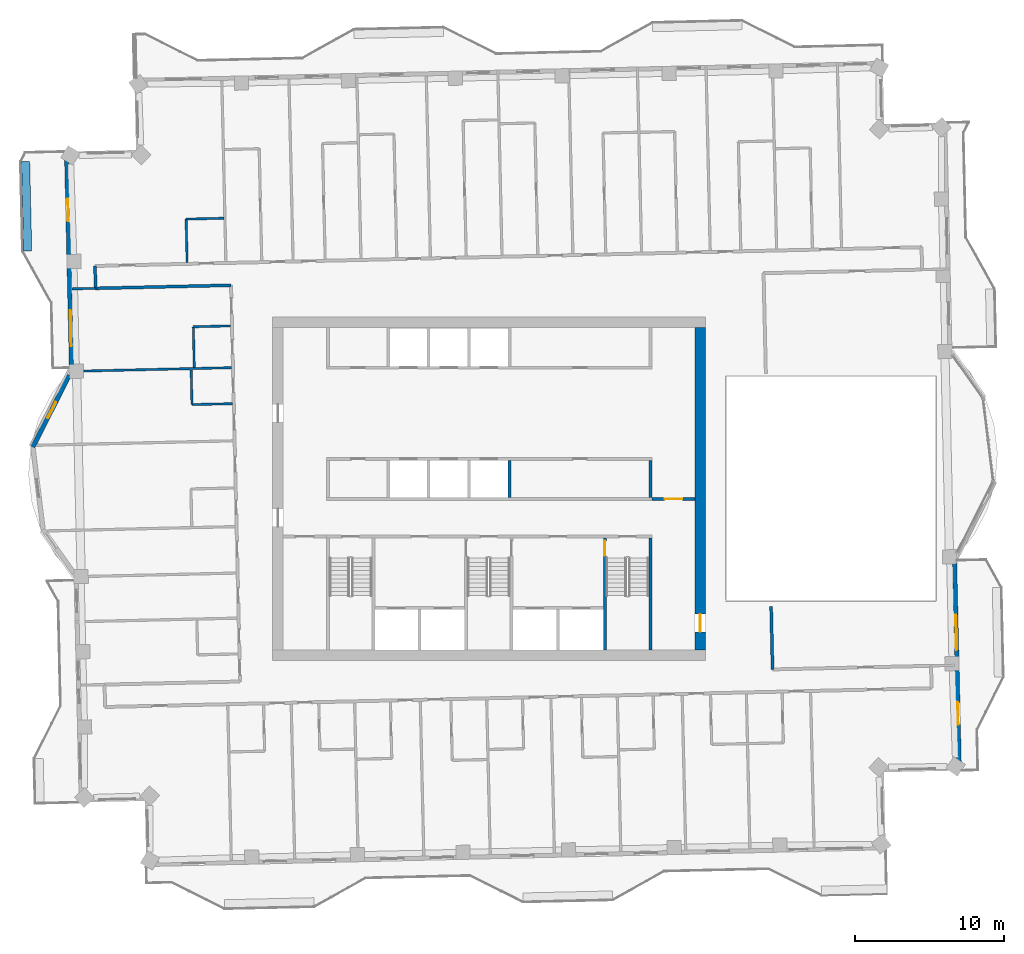
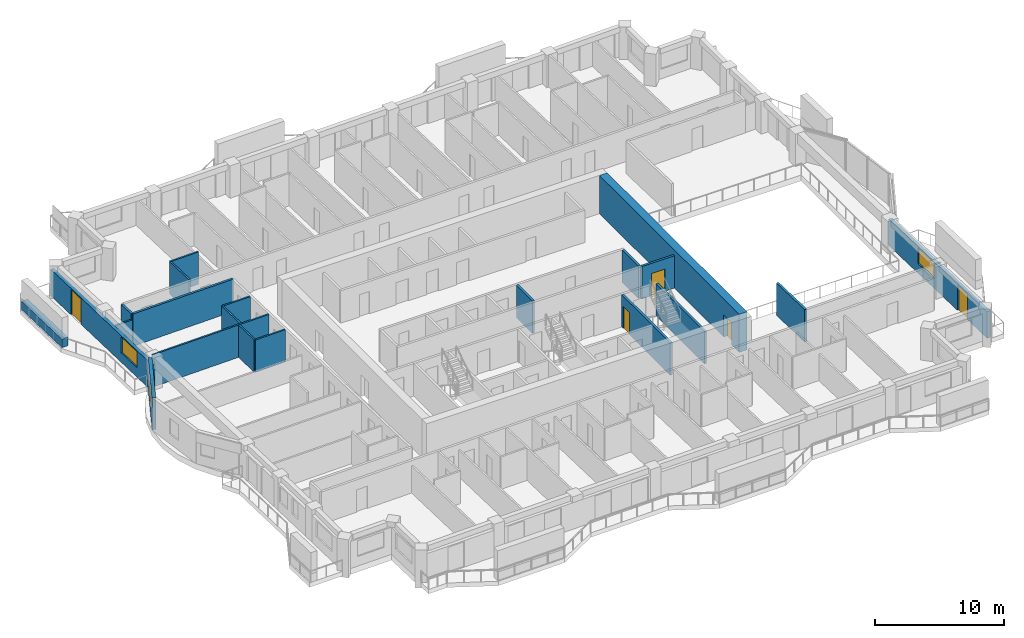
# One storey, part 11 of 18: 21 walls, 5 doors, 3 windows, 8 openings.
"""IFC4 building model written with IfcOpenShell, lengths in metres."""

from ifc_helpers import new_model, si_unit, direction, frame, frame_2d, origin, place, context, subcontext, project, spatial, rectangle, extrude, material, layer, layer_set, type_object, element, fill, save


model = new_model("IFC4")

# Units and contexts
model_context = context("Model", 3, precision=1e-05, world=origin(), true_north=direction((0.0, 1.0)))
body_context = subcontext(model_context, "Body", "Model", "MODEL_VIEW")
ifc_project = project(units=[si_unit("LENGTHUNIT", "METRE"), si_unit("AREAUNIT", "SQUARE_METRE"), si_unit("VOLUMEUNIT", "CUBIC_METRE"), si_unit("PLANEANGLEUNIT", "RADIAN"), si_unit("MASSUNIT", "GRAM", prefix="KILO")], contexts=[model_context])

# Site, building, storey
site_placement = place(None, origin())
site = spatial("IfcSite", under=ifc_project, at=site_placement, CompositionType="ELEMENT")
building_placement = place(site_placement, origin())
building = spatial("IfcBuilding", under=site, at=building_placement, Name="Mangrove Gate Tower", CompositionType="ELEMENT")
storey_placement = place(building_placement, frame((0.0, 0.0, 287.10009765625)))
storey = spatial("IfcBuildingStorey", under=building, at=storey_placement, Name="L73", CompositionType="ELEMENT", Elevation=287.10009765625)

# Wall, opening, door
ifc_material_1 = material(Name="Concrete C32/40", Category="concrete")
ifc_layer_1 = layer(ifc_material_1, 0.199951171875)
ifc_layer_set_1 = layer_set([ifc_layer_1], Name="Core lobby wall 200 C32/40")
wall_type_1 = type_object("IfcWallType", Name="Core lobby wall 200 C32/40", PredefinedType="STANDARD", material=ifc_layer_set_1)
wall_1_placement = place(storey_placement, frame((10.89990234375, -0.699951171875, 0.0), z_axis=(0.0, 0.0, 1.0), x_axis=(1.0, 0.0, 0.0)))
wall_1 = element("IfcWall", 1, at=wall_1_placement, inside=storey, type_object=wall_type_1, Name="WALL-L73-CORE-32", PredefinedType="STANDARD", context=body_context, shape_type="SweptSolid", body=[
    extrude(rectangle(XDim=2.900146484375, YDim=0.199951171875, at=frame_2d((1.4501953125, 0.0))), origin(), (0.0, 0.0, 1.0), 3.0498046875),
])
opening_1_placement = place(wall_1_placement, frame((0.85009765625, 0.0, 0.0)))
opening_1 = element("IfcOpeningElement", 2, at=opening_1_placement, cuts=wall_1, Name="Opening FL12", PredefinedType="OPENING", context=body_context, shape_type="SweptSolid", body=[
    extrude(rectangle(XDim=1.199951171875, YDim=2.10009765625, at=frame_2d((0.60009765625, 1.050048828125))), frame((0.0, 0.10986328125, 0.0), z_axis=(0.0, -1.0, 0.0), x_axis=(1.0, 0.0, 0.0)), (0.0, 0.0, 1.0), 0.219970703125),
])
ifc_material_2 = material(Name="Fire-rated steel door set", Category="steel")
door_type_1 = type_object("IfcDoorType", Name="Lobby door FD60 1200x2100", OperationType="SINGLE_SWING_LEFT", PredefinedType="DOOR", material=ifc_material_2)
door_1_placement = place(opening_1_placement, origin())
door_1 = element("IfcDoor", 3, at=door_1_placement, inside=storey, type_object=door_type_1, Name="Lobby door core corridor E partition", OperationType="SINGLE_SWING_LEFT", OverallHeight=2.10009765625, OverallWidth=1.199951171875, PredefinedType="DOOR", context=body_context, shape_type="SweptSolid", body=[
    extrude(rectangle(XDim=1.199951171875, YDim=2.10009765625, at=frame_2d((0.60009765625, 1.050048828125))), frame((0.0, 0.02490234375, 0.0), z_axis=(0.0, -1.0, 0.0), x_axis=(1.0, 0.0, 0.0)), (0.0, 0.0, 1.0), 0.050048828125),
])
fill(opening_1, door_1)

# Walls
ifc_material_3 = material(Name="Concrete C32/40", Category="concrete")
ifc_layer_2 = layer(ifc_material_3, 0.199951171875)
ifc_layer_set_2 = layer_set([ifc_layer_2], Name="Core room wall 200 C32/40")
wall_type_2 = type_object("IfcWallType", Name="Core room wall 200 C32/40", PredefinedType="STANDARD", material=ifc_layer_set_2)
wall_2_placement = place(storey_placement, frame((10.800048828125, -0.60009765625, 0.0), z_axis=(0.0, 0.0, 1.0), x_axis=(0.0, 1.0, 0.0)))
element("IfcWall", 4, at=wall_2_placement, inside=storey, type_object=wall_type_2, Name="WALL-L73-CORE-24", PredefinedType="STANDARD", context=body_context, shape_type="SweptSolid", body=[
    extrude(rectangle(XDim=2.5, YDim=0.199951171875, at=frame_2d((1.25, 0.0))), origin(), (0.0, 0.0, 1.0), 3.0498046875),
])
ifc_material_4 = material(Name="Concrete C50/60", Category="concrete")
ifc_layer_3 = layer(ifc_material_4, 0.199951171875)
ifc_layer_set_3 = layer_set([ifc_layer_3], Name="Core shaft wall 200 C50/60")
wall_type_3 = type_object("IfcWallType", Name="Core shaft wall 200 C50/60", PredefinedType="SHEAR", material=ifc_layer_set_3)
wall_3_placement = place(storey_placement, frame((1.35009765625, -0.60009765625, 0.0), z_axis=(0.0, 0.0, 1.0), x_axis=(0.0, 1.0, 0.0)))
element("IfcWall", 5, at=wall_3_placement, inside=storey, type_object=wall_type_3, Name="WALL-L73-CORE-23", PredefinedType="SHEAR", context=body_context, shape_type="SweptSolid", body=[
    extrude(rectangle(XDim=2.5, YDim=0.199951171875, at=frame_2d((1.25, 0.0))), origin(), (0.0, 0.0, 1.0), 3.0498046875),
])

# Wall, opening, door
ifc_material_5 = material(Name="Concrete C50/60", Category="concrete")
ifc_layer_4 = layer(ifc_material_5, 0.199951171875)
ifc_layer_set_4 = layer_set([ifc_layer_4], Name="Core stair wall 200 C50/60")
wall_type_4 = type_object("IfcWallType", Name="Core stair wall 200 C50/60", PredefinedType="SHEAR", material=ifc_layer_set_4)
wall_4_placement = place(storey_placement, frame((7.75, -10.800048828125, 0.0), z_axis=(0.0, 0.0, 1.0), x_axis=(0.0, 1.0, 0.0)))
wall_4 = element("IfcWall", 6, at=wall_4_placement, inside=storey, type_object=wall_type_4, Name="WALL-L73-CORE-13", PredefinedType="SHEAR", context=body_context, shape_type="SweptSolid", body=[
    extrude(rectangle(XDim=7.5, YDim=0.199951171875, at=frame_2d((3.75, 0.0))), origin(), (0.0, 0.0, 1.0), 3.0498046875),
])
opening_2_placement = place(wall_4_placement, frame((6.300048828125, 0.0, 0.0)))
opening_2 = element("IfcOpeningElement", 7, at=opening_2_placement, cuts=wall_4, Name="Opening STD10", PredefinedType="OPENING", context=body_context, shape_type="SweptSolid", body=[
    extrude(rectangle(XDim=1.0, YDim=2.10009765625, at=frame_2d((0.5, 1.050048828125))), frame((0.0, 0.10986328125, 0.0), z_axis=(0.0, -1.0, 0.0), x_axis=(1.0, 0.0, 0.0)), (0.0, 0.0, 1.0), 0.219970703125),
])
ifc_material_6 = material(Name="Fire-rated steel door set", Category="steel")
door_type_2 = type_object("IfcDoorType", Name="Stair door FD60 1000x2100", OperationType="SINGLE_SWING_RIGHT", PredefinedType="DOOR", material=ifc_material_6)
door_2_placement = place(opening_2_placement, origin())
door_2 = element("IfcDoor", 8, at=door_2_placement, inside=storey, type_object=door_type_2, Name="Stair door Stair 3 from fire-fighting lobby", OperationType="SINGLE_SWING_RIGHT", OverallHeight=2.10009765625, OverallWidth=1.0, PredefinedType="DOOR", context=body_context, shape_type="SweptSolid", body=[
    extrude(rectangle(XDim=1.0, YDim=2.10009765625, at=frame_2d((0.5, 1.050048828125))), frame((0.0, 0.02490234375, 0.0), z_axis=(0.0, -1.0, 0.0), x_axis=(1.0, 0.0, 0.0)), (0.0, 0.0, 1.0), 0.050048828125),
])
fill(opening_2, door_2)

# Wall
wall_5_placement = place(storey_placement, frame((10.800048828125, -10.800048828125, 0.0), z_axis=(0.0, 0.0, 1.0), x_axis=(0.0, 1.0, 0.0)))
element("IfcWall", 9, at=wall_5_placement, inside=storey, type_object=wall_type_4, Name="WALL-L73-CORE-14", PredefinedType="SHEAR", context=body_context, shape_type="SweptSolid", body=[
    extrude(rectangle(XDim=7.5, YDim=0.199951171875, at=frame_2d((3.75, 0.0))), origin(), (0.0, 0.0, 1.0), 3.0498046875),
])

# Wall, opening, door
ifc_material_7 = material(Name="Concrete C50/60", Category="concrete")
ifc_layer_5 = layer(ifc_material_7, 0.699951171875)
ifc_layer_set_5 = layer_set([ifc_layer_5], Name="Core wall 700 C50/60")
wall_type_5 = type_object("IfcWallType", Name="Core wall 700 C50/60", PredefinedType="SHEAR", material=ifc_layer_set_5)
wall_6_placement = place(storey_placement, frame((14.14990234375, -10.800048828125, 0.0), z_axis=(0.0, 0.0, 1.0), x_axis=(0.0, 1.0, 0.0)))
wall_6 = element("IfcWall", 10, at=wall_6_placement, inside=storey, type_object=wall_type_5, Name="WALL-L73-CORE-4", PredefinedType="SHEAR", context=body_context, shape_type="SweptSolid", body=[
    extrude(rectangle(XDim=21.60009765625, YDim=0.699951171875, at=frame_2d((10.800048828125, 0.0))), origin(), (0.0, 0.0, 1.0), 3.599853515625),
])
opening_3_placement = place(wall_6_placement, frame((1.199951171875, 0.0, 0.0)))
opening_3 = element("IfcOpeningElement", 11, at=opening_3_placement, cuts=wall_6, Name="Opening CD", PredefinedType="OPENING", context=body_context, shape_type="SweptSolid", body=[
    extrude(rectangle(XDim=1.199951171875, YDim=2.10009765625, at=frame_2d((0.60009765625, 1.050048828125))), frame((0.0, 0.35986328125, 0.0), z_axis=(0.0, -1.0, 0.0), x_axis=(1.0, 0.0, 0.0)), (0.0, 0.0, 1.0), 0.719970703125),
])
ifc_material_8 = material(Name="Fire-rated steel door set", Category="steel")
door_type_3 = type_object("IfcDoorType", Name="Core ring door FD60 1200x2100", OperationType="DOUBLE_DOOR_SINGLE_SWING", PredefinedType="DOOR", material=ifc_material_8)
door_3_placement = place(opening_3_placement, origin())
door_3 = element("IfcDoor", 12, at=door_3_placement, inside=storey, type_object=door_type_3, Name="Core ring door E1", OperationType="DOUBLE_DOOR_SINGLE_SWING", OverallHeight=2.10009765625, OverallWidth=1.199951171875, PredefinedType="DOOR", context=body_context, shape_type="SweptSolid", body=[
    extrude(rectangle(XDim=1.199951171875, YDim=2.10009765625, at=frame_2d((0.60009765625, 1.050048828125))), frame((0.0, 0.02490234375, 0.0), z_axis=(0.0, -1.0, 0.0), x_axis=(1.0, 0.0, 0.0)), (0.0, 0.0, 1.0), 0.050048828125),
])
fill(opening_3, door_3)

# Walls
ifc_material_9 = material(Name="Gypsum board on steel stud, EI 60", Category="steel")
ifc_layer_6 = layer(ifc_material_9, 0.199951171875)
ifc_layer_set_6 = layer_set([ifc_layer_6], Name="Corridor wall EI 60")
wall_type_6 = type_object("IfcWallType", Name="Corridor wall EI 60", PredefinedType="PARTITIONING", material=ifc_layer_set_6)
wall_7_placement = place(storey_placement, frame((18.987060546875, -12.10888671875, 0.0), z_axis=(0.0, 0.0, 1.0), x_axis=(-0.022807092041, 0.999739884446, 0.0)))
element("IfcWall", 13, at=wall_7_placement, inside=storey, type_object=wall_type_6, Name="WALL-L73-035", PredefinedType="PARTITIONING", context=body_context, shape_type="SweptSolid", body=[
    extrude(rectangle(XDim=4.206787109375, YDim=0.199951171875, at=frame_2d((2.103515625, 0.0))), origin(), (0.0, 0.0, 1.0), 3.0498046875),
])
wall_8_placement = place(storey_placement, frame((-26.366943359375, 13.4189453125, 0.0), z_axis=(0.0, 0.0, 1.0), x_axis=(0.999742888587, 0.022675024131, 0.0)))
element("IfcWall", 14, at=wall_8_placement, inside=storey, type_object=wall_type_6, Name="WALL-L73-052", PredefinedType="PARTITIONING", context=body_context, shape_type="SweptSolid", body=[
    extrude(rectangle(XDim=9.08740234375, YDim=0.199951171875, at=frame_2d((4.543701171875, 0.0))), origin(), (0.0, 0.0, 1.0), 3.0498046875),
])
wall_9_placement = place(storey_placement, frame((-26.364013671875, 13.4189453125, 0.0), z_axis=(0.0, 0.0, 1.0), x_axis=(-0.022632637625, 0.99974384905, 0.0)))
element("IfcWall", 15, at=wall_9_placement, inside=storey, type_object=wall_type_6, Name="WALL-L73-053", PredefinedType="PARTITIONING", context=body_context, shape_type="SweptSolid", body=[
    extrude(rectangle(XDim=1.49951171875, YDim=0.199951171875, at=frame_2d((0.749755859375, 0.0))), origin(), (0.0, 0.0, 1.0), 3.0498046875),
])

# Wall, openings, door, window
ifc_material_10 = material(Name="Limestone", Category="masonry")
ifc_layer_7 = layer(ifc_material_10, 0.0400390625, Name="Limestone cladding")
ifc_material_11 = material(Name="Ventilated air gap")
ifc_layer_8 = layer(ifc_material_11, 0.0400390625, Name="Ventilated cavity")
ifc_material_12 = material(Name="Mineral wool insulation")
ifc_layer_9 = layer(ifc_material_12, 0.06005859375, Name="Insulation")
ifc_material_13 = material(Name="Breather membrane")
ifc_layer_10 = layer(ifc_material_13, 0.001953125, Name="Breather membrane")
ifc_material_14 = material(Name="Concrete C20/25 blockwork", Category="masonry")
ifc_layer_11 = layer(ifc_material_14, 0.14990234375, Name="Blockwork backing wall")
ifc_material_15 = material(Name="Gypsum plaster")
ifc_layer_12 = layer(ifc_material_15, 0.008056640625, Name="Internal plaster")
ifc_layer_set_7 = layer_set([ifc_layer_7, ifc_layer_8, ifc_layer_9, ifc_layer_10, ifc_layer_11, ifc_layer_12], Name="External wall 300 limestone cladding")
wall_type_7 = type_object("IfcWallType", Name="External wall 300 limestone cladding", PredefinedType="SOLIDWALL", material=ifc_layer_set_7)
wall_10_placement = place(storey_placement, frame((31.488037109375, -18.72705078125, 0.0), z_axis=(0.0, 0.0, 1.0), x_axis=(-0.022666132143, 0.999743090226, 0.0)))
wall_10 = element("IfcWall", 16, at=wall_10_placement, inside=storey, type_object=wall_type_7, Name="WALL-L73-E0s1", PredefinedType="SOLIDWALL", context=body_context, shape_type="SweptSolid", body=[
    extrude(rectangle(XDim=14.648681640625, YDim=0.300048828125, at=frame_2d((7.32421875, 0.0))), origin(), (0.0, 0.0, 1.0), 2.5),
])
opening_4_placement = place(wall_10_placement, frame((2.9150390625, 0.0, 0.0)))
opening_4 = element("IfcOpeningElement", 17, at=opening_4_placement, cuts=wall_10, Name="Opening BD1", PredefinedType="OPENING", context=body_context, shape_type="SweptSolid", body=[
    extrude(rectangle(XDim=1.5, YDim=2.39990234375, at=frame_2d((0.75, 1.199951171875))), frame((0.0, 0.159912109375, 0.0), z_axis=(0.0, -1.0, 0.0), x_axis=(1.0, 0.0, 0.0)), (0.0, 0.0, 1.0), 0.320068359375),
])
opening_5_placement = place(wall_10_placement, frame((7.89501953125, 0.0, 0.89990234375)))
opening_5 = element("IfcOpeningElement", 18, at=opening_5_placement, cuts=wall_10, Name="Opening W2", PredefinedType="OPENING", context=body_context, shape_type="SweptSolid", body=[
    extrude(rectangle(XDim=2.39990234375, YDim=1.5, at=frame_2d((1.199951171875, 0.75))), frame((0.0, 0.159912109375, 0.0), z_axis=(0.0, -1.0, 0.0), x_axis=(1.0, 0.0, 0.0)), (0.0, 0.0, 1.0), 0.320068359375),
])
ifc_material_16 = material(Name="Aluminium frame with laminated clear glass", Category="aluminium")
door_type_4 = type_object("IfcDoorType", Name="Balcony sliding door 1500x2400", OperationType="SLIDING_TO_LEFT", PredefinedType="DOOR", material=ifc_material_16)
door_4_placement = place(opening_4_placement, origin())
door_4 = element("IfcDoor", 19, at=door_4_placement, inside=storey, type_object=door_type_4, Name="DOOR-L73-E0-1", OperationType="SLIDING_TO_LEFT", OverallHeight=2.39990234375, OverallWidth=1.5, PredefinedType="DOOR", context=body_context, shape_type="SweptSolid", body=[
    extrude(rectangle(XDim=1.5, YDim=2.39990234375, at=frame_2d((0.75, 1.199951171875))), frame((0.0, 0.02490234375, 0.0), z_axis=(0.0, -1.0, 0.0), x_axis=(1.0, 0.0, 0.0)), (0.0, 0.0, 1.0), 0.050048828125),
])
fill(opening_4, door_4)
ifc_material_17 = material(Name="Aluminium frame with double-glazed low-e glass", Category="aluminium")
window_type_1 = type_object("IfcWindowType", Name="Corner room window 2400x1500", PartitioningType="DOUBLE_PANEL_VERTICAL", PredefinedType="WINDOW", material=ifc_material_17)
window_1_placement = place(opening_5_placement, origin())
window_1 = element("IfcWindow", 20, at=window_1_placement, inside=storey, type_object=window_type_1, Name="WIN-L73-E0-2", OverallHeight=1.5, OverallWidth=2.39990234375, PartitioningType="DOUBLE_PANEL_VERTICAL", PredefinedType="WINDOW", context=body_context, shape_type="SweptSolid", body=[
    extrude(rectangle(XDim=2.39990234375, YDim=1.5, at=frame_2d((1.199951171875, 0.75))), frame((0.0, 0.030029296875, 0.0), z_axis=(0.0, -1.0, 0.0), x_axis=(1.0, 0.0, 0.0)), (0.0, 0.0, 1.0), 0.06005859375),
])
fill(opening_5, window_1)

wall_11_placement = place(storey_placement, frame((-28.297119140625, 22.427001953125, 0.0), z_axis=(0.0, 0.0, 1.0), x_axis=(0.022663916124, -0.999743140465, 0.0)))
wall_11 = element("IfcWall", 21, at=wall_11_placement, inside=storey, type_object=wall_type_7, Name="WALL-L73-W8s1", PredefinedType="SOLIDWALL", context=body_context, shape_type="SweptSolid", body=[
    extrude(rectangle(XDim=15.048828125, YDim=0.300048828125, at=frame_2d((7.5244140625, 0.0))), origin(), (0.0, 0.0, 1.0), 2.5),
])
opening_6_placement = place(wall_11_placement, frame((3.001953125, 0.0, 0.0)))
opening_6 = element("IfcOpeningElement", 22, at=opening_6_placement, cuts=wall_11, Name="Opening BD1", PredefinedType="OPENING", context=body_context, shape_type="SweptSolid", body=[
    extrude(rectangle(XDim=1.5, YDim=2.39990234375, at=frame_2d((0.75, 1.199951171875))), frame((0.0, 0.159912109375, 0.0), z_axis=(0.0, -1.0, 0.0), x_axis=(1.0, 0.0, 0.0)), (0.0, 0.0, 1.0), 0.320068359375),
])
opening_7_placement = place(wall_11_placement, frame((10.47509765625, 0.0, 0.89990234375)))
opening_7 = element("IfcOpeningElement", 23, at=opening_7_placement, cuts=wall_11, Name="Opening W2", PredefinedType="OPENING", context=body_context, shape_type="SweptSolid", body=[
    extrude(rectangle(XDim=2.39990234375, YDim=1.5, at=frame_2d((1.199951171875, 0.75))), frame((0.0, 0.159912109375, 0.0), z_axis=(0.0, -1.0, 0.0), x_axis=(1.0, 0.0, 0.0)), (0.0, 0.0, 1.0), 0.320068359375),
])
door_5_placement = place(opening_6_placement, origin())
door_5 = element("IfcDoor", 24, at=door_5_placement, inside=storey, type_object=door_type_4, Name="DOOR-L73-W8-1", OperationType="SLIDING_TO_LEFT", OverallHeight=2.39990234375, OverallWidth=1.5, PredefinedType="DOOR", context=body_context, shape_type="SweptSolid", body=[
    extrude(rectangle(XDim=1.5, YDim=2.39990234375, at=frame_2d((0.75, 1.199951171875))), frame((0.0, 0.02490234375, 0.0), z_axis=(0.0, -1.0, 0.0), x_axis=(1.0, 0.0, 0.0)), (0.0, 0.0, 1.0), 0.050048828125),
])
fill(opening_6, door_5)
window_2_placement = place(opening_7_placement, origin())
window_2 = element("IfcWindow", 25, at=window_2_placement, inside=storey, type_object=window_type_1, Name="WIN-L73-W8-2", OverallHeight=1.5, OverallWidth=2.39990234375, PartitioningType="DOUBLE_PANEL_VERTICAL", PredefinedType="WINDOW", context=body_context, shape_type="SweptSolid", body=[
    extrude(rectangle(XDim=2.39990234375, YDim=1.5, at=frame_2d((1.199951171875, 0.75))), frame((0.0, 0.030029296875, 0.0), z_axis=(0.0, -1.0, 0.0), x_axis=(1.0, 0.0, 0.0)), (0.0, 0.0, 1.0), 0.06005859375),
])
fill(opening_7, window_2)

# Wall, opening, window
wall_12_placement = place(storey_placement, frame((-28.1201171875, 7.60791015625, 0.0), z_axis=(0.0, 0.0, 1.0), x_axis=(-0.45266802131, -0.891679125293, 0.0)))
wall_12 = element("IfcWall", 26, at=wall_12_placement, inside=storey, type_object=wall_type_7, Name="WALL-L73-W9f1", PredefinedType="SOLIDWALL", context=body_context, shape_type="SweptSolid", body=[
    extrude(rectangle(XDim=5.398681640625, YDim=0.300048828125, at=frame_2d((2.69921875, 0.0))), origin(), (0.0, 0.0, 1.0), 3.0498046875),
])
opening_8_placement = place(wall_12_placement, frame((2.008056640625, 0.0, 0.89990234375)))
opening_8 = element("IfcOpeningElement", 27, at=opening_8_placement, cuts=wall_12, Name="Opening W1", PredefinedType="OPENING", context=body_context, shape_type="SweptSolid", body=[
    extrude(rectangle(XDim=1.199951171875, YDim=1.5, at=frame_2d((0.60009765625, 0.75))), frame((0.0, 0.159912109375, 0.0), z_axis=(0.0, -1.0, 0.0), x_axis=(1.0, 0.0, 0.0)), (0.0, 0.0, 1.0), 0.320068359375),
])
ifc_material_18 = material(Name="Aluminium frame with double-glazed low-e glass", Category="aluminium")
window_type_2 = type_object("IfcWindowType", Name="Side lite 1200x1500", PartitioningType="SINGLE_PANEL", PredefinedType="WINDOW", material=ifc_material_18)
window_3_placement = place(opening_8_placement, origin())
window_3 = element("IfcWindow", 28, at=window_3_placement, inside=storey, type_object=window_type_2, Name="WIN-L73-W9f1", OverallHeight=1.5, OverallWidth=1.199951171875, PartitioningType="SINGLE_PANEL", PredefinedType="WINDOW", context=body_context, shape_type="SweptSolid", body=[
    extrude(rectangle(XDim=1.199951171875, YDim=1.5, at=frame_2d((0.60009765625, 0.75))), frame((0.0, 0.030029296875, 0.0), z_axis=(0.0, -1.0, 0.0), x_axis=(1.0, 0.0, 0.0)), (0.0, 0.0, 1.0), 0.06005859375),
])
fill(opening_8, window_3)

# Walls
ifc_material_19 = material(Name="Gypsum board on steel stud, EI 60", Category="steel")
ifc_layer_13 = layer(ifc_material_19, 0.14990234375)
ifc_layer_set_8 = layer_set([ifc_layer_13], Name="Party wall 150 EI 60")
wall_type_8 = type_object("IfcWallType", Name="Party wall 150 EI 60", PredefinedType="PARTITIONING", material=ifc_layer_set_8)
wall_13_placement = place(storey_placement, frame((-19.90087890625, 5.633056640625, 0.0), z_axis=(0.0, 0.0, 1.0), x_axis=(0.999744396973, 0.02260842146, 0.0)))
element("IfcWall", 29, at=wall_13_placement, inside=storey, type_object=wall_type_8, Name="WALL-L73-045", PredefinedType="PARTITIONING", context=body_context, shape_type="SweptSolid", body=[
    extrude(rectangle(XDim=2.69970703125, YDim=0.14990234375, at=frame_2d((1.349853515625, 0.0))), origin(), (0.0, 0.0, 1.0), 3.0498046875),
])
wall_14_placement = place(storey_placement, frame((-19.906005859375, 5.637939453125, 0.0), z_axis=(0.0, 0.0, 1.0), x_axis=(-0.022781023197, 0.999740478815, 0.0)))
element("IfcWall", 30, at=wall_14_placement, inside=storey, type_object=wall_type_8, Name="WALL-L73-046", PredefinedType="PARTITIONING", context=body_context, shape_type="SweptSolid", body=[
    extrude(rectangle(XDim=2.325439453125, YDim=0.14990234375, at=frame_2d((1.16259765625, 0.0))), origin(), (0.0, 0.0, 1.0), 3.0498046875),
])
wall_15_placement = place(storey_placement, frame((-19.751953125, 8.116943359375, 0.0), z_axis=(0.0, 0.0, 1.0), x_axis=(-0.022749889061, 0.999741187782, 0.0)))
element("IfcWall", 31, at=wall_15_placement, inside=storey, type_object=wall_type_8, Name="WALL-L73-048", PredefinedType="PARTITIONING", context=body_context, shape_type="SweptSolid", body=[
    extrude(rectangle(XDim=2.725830078125, YDim=0.14990234375, at=frame_2d((1.36279296875, 0.0))), origin(), (0.0, 0.0, 1.0), 3.0498046875),
])
wall_16_placement = place(storey_placement, frame((-27.81689453125, 7.864013671875, 0.0), z_axis=(0.0, 0.0, 1.0), x_axis=(0.9997418952, 0.022718780382, 0.0)))
element("IfcWall", 32, at=wall_16_placement, inside=storey, type_object=wall_type_8, Name="WALL-L73-049", PredefinedType="PARTITIONING", context=body_context, shape_type="SweptSolid", body=[
    extrude(rectangle(XDim=10.5634765625, YDim=0.14990234375, at=frame_2d((5.28173828125, 0.0))), origin(), (0.0, 0.0, 1.0), 3.0498046875),
])
wall_17_placement = place(storey_placement, frame((-19.819091796875, 10.845947265625, 0.0), z_axis=(0.0, 0.0, 1.0), x_axis=(0.999738801317, 0.022854521249, 0.0)))
element("IfcWall", 33, at=wall_17_placement, inside=storey, type_object=wall_type_8, Name="WALL-L73-050", PredefinedType="PARTITIONING", context=body_context, shape_type="SweptSolid", body=[
    extrude(rectangle(XDim=2.499755859375, YDim=0.14990234375, at=frame_2d((1.25, 0.0))), origin(), (0.0, 0.0, 1.0), 3.0498046875),
])
wall_18_placement = place(storey_placement, frame((-27.94189453125, 13.383056640625, 0.0), z_axis=(0.0, 0.0, 1.0), x_axis=(0.999741755729, 0.022724916977, 0.0)))
element("IfcWall", 34, at=wall_18_placement, inside=storey, type_object=wall_type_8, Name="WALL-L73-051", PredefinedType="PARTITIONING", context=body_context, shape_type="SweptSolid", body=[
    extrude(rectangle(XDim=1.579345703125, YDim=0.14990234375, at=frame_2d((0.78955078125, 0.0))), origin(), (0.0, 0.0, 1.0), 2.5),
])
wall_19_placement = place(storey_placement, frame((-20.23193359375, 15.157958984375, 0.0), z_axis=(0.0, 0.0, 1.0), x_axis=(-0.022817032779, 0.999739657619, 0.0)))
element("IfcWall", 35, at=wall_19_placement, inside=storey, type_object=wall_type_8, Name="WALL-L73-058", PredefinedType="PARTITIONING", context=body_context, shape_type="SweptSolid", body=[
    extrude(rectangle(XDim=2.899658203125, YDim=0.14990234375, at=frame_2d((1.44970703125, 0.0))), origin(), (0.0, 0.0, 1.0), 3.0498046875),
])
wall_20_placement = place(storey_placement, frame((-20.2958984375, 18.056884765625, 0.0), z_axis=(0.0, 0.0, 1.0), x_axis=(0.999735102249, 0.023015762656, 0.0)))
element("IfcWall", 36, at=wall_20_placement, inside=storey, type_object=wall_type_8, Name="WALL-L73-078", PredefinedType="PARTITIONING", context=body_context, shape_type="SweptSolid", body=[
    extrude(rectangle(XDim=2.524658203125, YDim=0.14990234375, at=frame_2d((1.26220703125, 0.0))), origin(), (0.0, 0.0, 1.0), 3.0498046875),
])
ifc_material_20 = material(Name="Concrete C32/40", Category="concrete")
ifc_layer_14 = layer(ifc_material_20, 0.199951171875, Name="Planter trough wall")
ifc_material_21 = material(Name="Bituminous waterproofing membrane")
ifc_layer_15 = layer(ifc_material_21, 0.0048828125, Name="Waterproofing")
ifc_material_22 = material(Name="Drainage board and gravel")
ifc_layer_16 = layer(ifc_material_22, 0.044921875, Name="Drainage layer")
ifc_material_23 = material(Name="Planting soil")
ifc_layer_17 = layer(ifc_material_23, 0.300048828125, Name="Growing medium")
ifc_layer_set_9 = layer_set([ifc_layer_14, ifc_layer_15, ifc_layer_16, ifc_layer_17], Name="Planter wall 550 C32/40")
wall_type_9 = type_object("IfcWallType", Name="Planter wall 550 C32/40", PredefinedType="USERDEFINED", material=ifc_layer_set_9)
wall_21_placement = place(storey_placement, frame((-30.9150390625, 15.916015625, 0.0), z_axis=(0.0, 0.0, 1.0), x_axis=(-0.022665943652, 0.999743094499, 0.0)))
element("IfcWall", 37, at=wall_21_placement, inside=storey, type_object=wall_type_9, Name="PLANTER L73 W0.1", ObjectType="PLANTER", PredefinedType="USERDEFINED", context=body_context, shape_type="SweptSolid", body=[
    extrude(rectangle(XDim=5.99951171875, YDim=0.550048828125, at=frame_2d((2.999755859375, 0.0))), origin(), (0.0, 0.0, 1.0), 0.7998046875),
])

save(model, "model.ifc")
